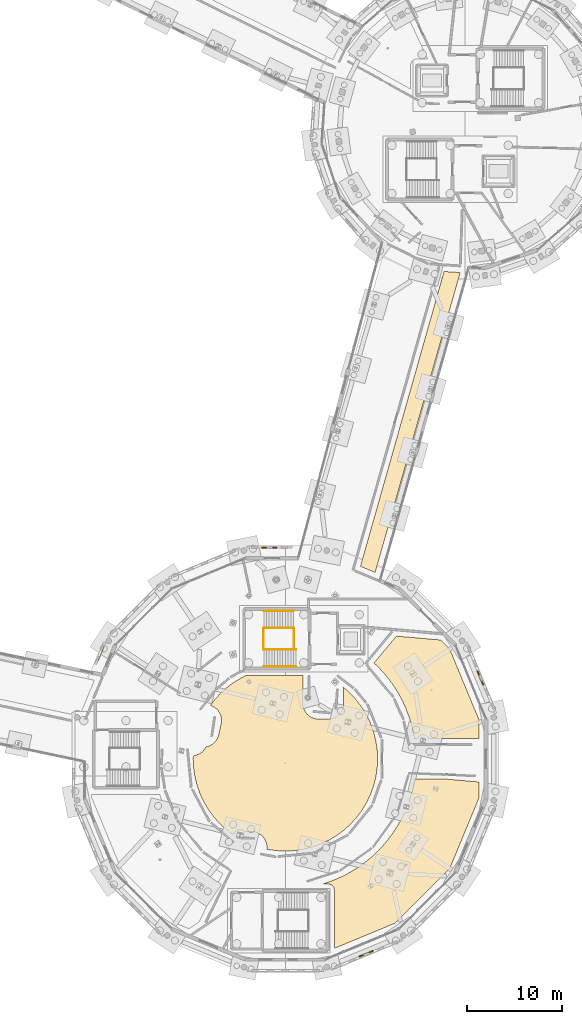
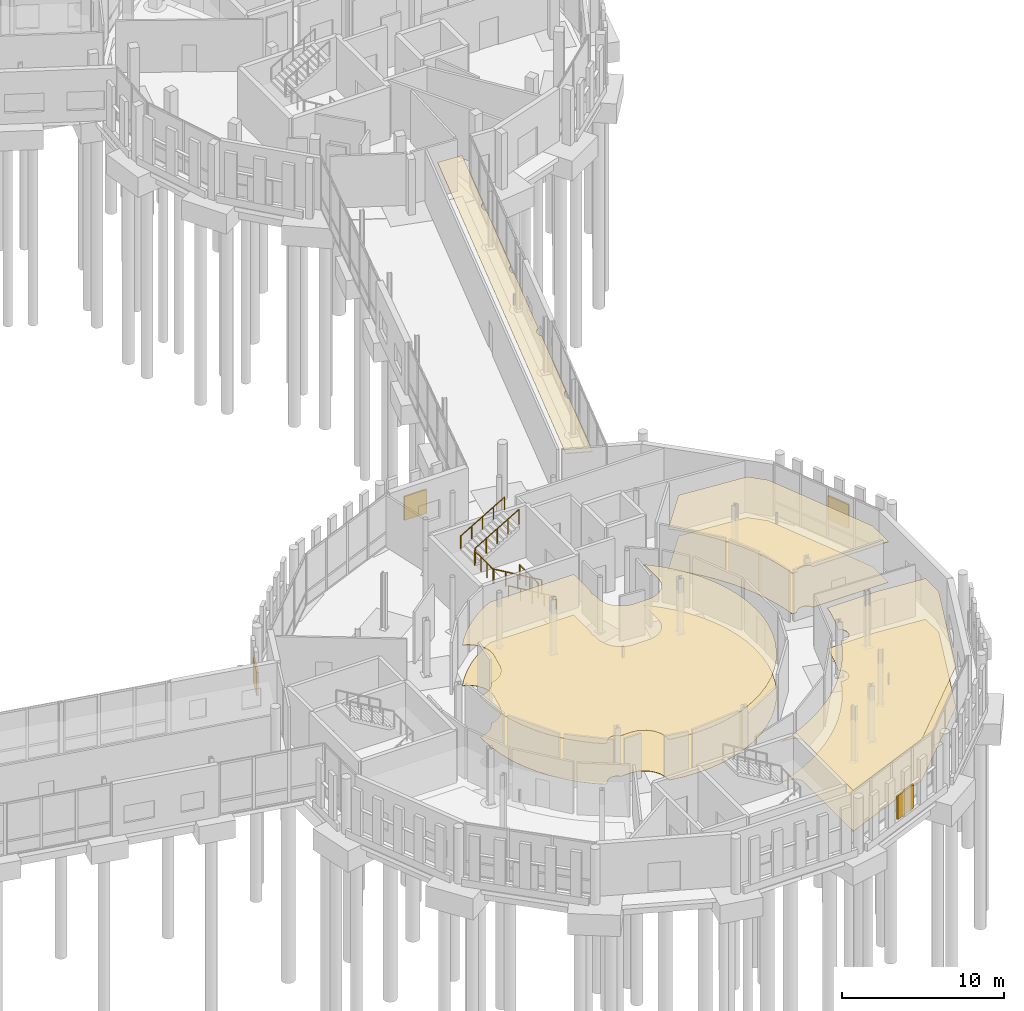
# One storey, part 111 of 113: 7 coverings, 6 railings, 4 shading devices.
"""IFC4 building model written with IfcOpenShell, lengths in metres."""

from ifc_helpers import new_model, si_unit, direction, frame, origin, origin_2d, place, context, subcontext, project, spatial, polyline, rectangle, circle, outline, extrude, material, layer, layer_set, type_object, element, save


model = new_model("IFC4")

# Units and contexts
model_context = context("Model", 3, precision=1e-05, world=origin(), true_north=direction((0.0, 1.0)))
body_context = subcontext(model_context, "Body", "Model", "MODEL_VIEW")
ifc_project = project(units=[si_unit("LENGTHUNIT", "METRE"), si_unit("AREAUNIT", "SQUARE_METRE"), si_unit("VOLUMEUNIT", "CUBIC_METRE"), si_unit("PLANEANGLEUNIT", "RADIAN"), si_unit("MASSUNIT", "GRAM", prefix="KILO")], contexts=[model_context])

# Site, building, storey
site_placement = place(None, origin())
site = spatial("IfcSite", under=ifc_project, at=site_placement, CompositionType="ELEMENT")
building_placement = place(site_placement, origin())
building = spatial("IfcBuilding", under=site, at=building_placement, Name="Wrenclough Park School", CompositionType="ELEMENT")
storey_placement = place(building_placement, origin())
storey = spatial("IfcBuildingStorey", under=building, at=storey_placement, Name="L00", CompositionType="ELEMENT", Elevation=0.0)

# Shading devices
ifc_material_1 = material(Name="Perforated Manchester multi-stock and Staffordshire blue-grey brick screen", Category="masonry")
ifc_layer_1 = layer(ifc_material_1, 0.114990234375)
ifc_layer_set_1 = layer_set([ifc_layer_1], Name="Perforated Manchester multi-stock and Staffordshire blue-grey brick screen")
shading_device_type_1 = type_object("IfcShadingDeviceType", Name="ENV-BS-01", PredefinedType="USERDEFINED", material=ifc_layer_set_1)
shading_device_1_placement = place(storey_placement, frame((135.978271484375, 37.637939453125, 0.52978515625), z_axis=(0.0, 0.0, 1.0), x_axis=(-0.382679144648, -0.92388130853, 0.0)))
element("IfcShadingDevice", 1, at=shading_device_1_placement, inside=storey, type_object=shading_device_type_1, Name="D1 L00 acoustic open-bond brick baffle 003", ObjectType="PERFORATED BRICK SCREEN", PredefinedType="USERDEFINED", context=body_context, shape_type="SweptSolid", body=[
    extrude(rectangle(XDim=1.60009765625, YDim=0.114990234375, at=origin_2d()), origin(), (0.0, 0.0, 1.0), 1.800048828125),
])
ifc_layer_2 = layer(ifc_material_1, 0.114990234375)
ifc_layer_set_2 = layer_set([ifc_layer_2], Name="Perforated Manchester multi-stock and Staffordshire blue-grey brick screen")
shading_device_type_2 = type_object("IfcShadingDeviceType", Name="ENV-BS-02", PredefinedType="USERDEFINED", material=ifc_layer_set_2)
shading_device_2_placement = place(storey_placement, frame((176.1005859375, 35.033203125, 0.52978515625), z_axis=(0.0, 0.0, 1.0), x_axis=(-0.382692183809, 0.923875907496, 0.0)))
element("IfcShadingDevice", 2, at=shading_device_2_placement, inside=storey, type_object=shading_device_type_2, Name="D1 L00 acoustic open-bond brick baffle 001", ObjectType="PERFORATED BRICK SCREEN", PredefinedType="USERDEFINED", context=body_context, shape_type="SweptSolid", body=[
    extrude(rectangle(XDim=1.60009765625, YDim=0.114990234375, at=origin_2d()), origin(), (0.0, 0.0, 1.0), 1.800048828125),
])
ifc_layer_3 = layer(ifc_material_1, 0.114990234375)
ifc_layer_set_3 = layer_set([ifc_layer_3], Name="Perforated Manchester multi-stock and Staffordshire blue-grey brick screen")
shading_device_type_3 = type_object("IfcShadingDeviceType", Name="ENV-BS-03", PredefinedType="USERDEFINED", material=ifc_layer_set_3)
for number, where, z_axis, x_axis, name in (
    (3, (153.80810546875, 48.798095703125, 0.52978515625), (0.0, 0.0, 1.0), (-1.0, 0.0, 0.0), "D1 L00 acoustic open-bond brick baffle 002"),
    (4, (164.033203125, 5.8994140625, 0.52978515625), (0.0, 0.0, 1.0), (0.923875907496, 0.382692183809, 0.0), "D1 L00 acoustic open-bond brick baffle 005"),
):
    element("IfcShadingDevice", number, at=place(storey_placement, frame(where, z_axis=z_axis, x_axis=x_axis)), inside=storey, type_object=shading_device_type_3, Name=name, ObjectType="PERFORATED BRICK SCREEN", PredefinedType="USERDEFINED", context=body_context, shape_type="SweptSolid", body=[
        extrude(rectangle(XDim=1.60009765625, YDim=0.114990234375, at=origin_2d()), origin(), (0.0, 0.0, 1.0), 1.800048828125),
    ])

# Coverings
ifc_material_2 = material(Name="Class A mineral-fibre acoustic ceiling raft", Category="gypsum")
ifc_layer_4 = layer(ifc_material_2, 0.044921875)
ifc_layer_set_4 = layer_set([ifc_layer_4], Name="Class A mineral-fibre acoustic ceiling raft")
covering_type_1 = type_object("IfcCoveringType", Name="INT-COV-CEIL", PredefinedType="CEILING", material=ifc_layer_set_4)
covering_1_placement = place(storey_placement, frame((0.0, 0.0, 3.054931640625)))
element("IfcCovering", 5, at=covering_1_placement, inside=storey, type_object=covering_type_1, Name="PE Changing Village South acoustic ceiling raft", PredefinedType="CEILING", context=body_context, shape_type="SweptSolid", body=[
    extrude(outline(polyline([(159.947509765625, 13.4375), (159.3994140625, 13.27001953125), (160.083740234375, 13.266845703125), (160.146728515625, 13.257568359375), (160.268798828125, 13.220458984375), (160.381103515625, 13.160400390625), (160.432373046875, 13.12255859375), (160.5224609375, 13.032470703125), (160.560546875, 12.981201171875), (160.62060546875, 12.86865234375), (160.657470703125, 12.746826171875), (160.6669921875, 12.68359375), (160.669921875, 6.4716796875), (167.102294921875, 9.135986328125), (172.864013671875, 14.897705078125), (175.982177734375, 22.42578125), (175.982177734375, 24.0556640625), (172.61669921875, 24.35009765625), (169.117919921875, 24.35009765625), (169.03515625, 23.8154296875), (168.841552734375, 22.97705078125), (168.53857421875, 21.986328125), (168.622802734375, 21.940185546875), (168.714599609375, 21.86474609375), (168.7900390625, 21.772705078125), (168.84619140625, 21.66796875), (168.880615234375, 21.55419921875), (168.892333984375, 21.43603515625), (168.880615234375, 21.317626953125), (168.84619140625, 21.2041015625), (168.7900390625, 21.09912109375), (168.714599609375, 21.00732421875), (168.622802734375, 20.931884765625), (168.51806640625, 20.8759765625), (168.404296875, 20.84130859375), (168.285888671875, 20.82958984375), (168.167724609375, 20.84130859375), (168.0888671875, 20.86328125), (167.879150390625, 20.40380859375), (167.4775390625, 19.6484375), (167.00390625, 18.8798828125), (166.477783203125, 18.1396484375), (165.866943359375, 17.393310546875), (165.251953125, 16.7373046875), (164.607666015625, 16.134033203125), (163.91015625, 15.560302734375), (163.17138671875, 15.0302734375), (162.393798828125, 14.546875), (161.591796875, 14.11865234375), (160.773681640625, 13.748779296875), (159.947509765625, 13.4375)])), origin(), (0.0, 0.0, 1.0), 0.045166015625),
])
covering_2_placement = place(storey_placement, frame((0.0, 0.0, 3.054931640625)))
element("IfcCovering", 6, at=covering_2_placement, inside=storey, type_object=covering_type_1, Name="Dance Studio acoustic ceiling raft", PredefinedType="CEILING", context=body_context, shape_type="SweptSolid", body=[
    extrude(outline(polyline([(175.94580078125, 28.642578125), (175.982177734375, 28.63720703125), (175.982177734375, 30.57421875), (172.864013671875, 38.102294921875), (171.904296875, 39.06201171875), (167.230712890625, 39.46875), (164.848876953125, 36.63037109375), (165.2529296875, 36.261474609375), (165.8818359375, 35.589599609375), (166.451904296875, 34.894287109375), (166.967041015625, 34.17529296875), (167.476806640625, 33.352783203125), (167.872314453125, 32.60986328125), (168.227294921875, 31.831298828125), (168.568359375, 30.9296875), (168.82666015625, 30.078857421875), (169.022705078125, 29.24609375), (169.116455078125, 28.649658203125), (169.4658203125, 28.6494140625), (169.493408203125, 28.708740234375), (169.559326171875, 28.8076171875), (169.599365234375, 28.851806640625), (169.691162109375, 28.927001953125), (169.7421875, 28.957763671875), (169.85205078125, 29.003173828125), (169.968505859375, 29.0263671875), (170.028076171875, 29.029296875), (170.08740234375, 29.0263671875), (170.2041015625, 29.003173828125), (170.313720703125, 28.957763671875), (170.36474609375, 28.927001953125), (170.456787109375, 28.851806640625), (170.49658203125, 28.8076171875), (170.562744140625, 28.708740234375), (170.59033203125, 28.648681640625), (175.94580078125, 28.642578125)])), origin(), (0.0, 0.0, 1.0), 0.045166015625),
])
covering_3_placement = place(storey_placement, frame((0.0, 0.0, 3.054931640625)))
element("IfcCovering", 7, at=covering_3_placement, inside=storey, type_object=covering_type_1, Name="Fitness Conditioning Studio acoustic ceiling raft", PredefinedType="CEILING", context=body_context, shape_type="SweptSolid", body=[
    extrude(outline(polyline([(145.815185546875, 26.826904296875), (145.7666015625, 26.82275390625), (145.750732421875, 26.5), (145.797607421875, 25.54443359375), (145.93798828125, 24.597900390625), (146.170654296875, 23.669921875), (146.492919921875, 22.769287109375), (146.90185546875, 21.904296875), (147.393798828125, 21.083740234375), (147.9638671875, 20.315185546875), (148.606201171875, 19.606201171875), (149.315185546875, 18.9638671875), (149.924560546875, 18.51171875), (150.010498046875, 18.56640625), (150.130126953125, 18.618408203125), (150.161376953125, 18.687744140625), (150.227294921875, 18.78662109375), (150.267333984375, 18.830810546875), (150.359130859375, 18.906005859375), (150.41015625, 18.936767578125), (150.52001953125, 18.982177734375), (150.63671875, 19.00537109375), (150.75537109375, 19.00537109375), (150.8720703125, 18.982177734375), (150.927978515625, 18.962158203125), (151.03271484375, 18.906005859375), (151.08056640625, 18.87060546875), (151.162841796875, 18.78857421875), (151.9541015625, 18.798583984375), (152.302490234375, 18.747802734375), (152.357666015625, 18.73681640625), (152.464599609375, 18.70068359375), (152.854248046875, 18.491455078125), (152.959716796875, 18.419921875), (153.142822265625, 18.23828125), (153.193603515625, 18.18017578125), (153.2373046875, 18.116455078125), (153.4091796875, 17.823486328125), (153.4521484375, 17.70361328125), (153.540771484375, 17.330810546875), (153.54736328125, 16.95068359375), (153.59814453125, 16.93798828125), (154.54443359375, 16.797607421875), (155.5, 16.750732421875), (156.45556640625, 16.797607421875), (157.402099609375, 16.93798828125), (158.330078125, 17.170654296875), (159.230712890625, 17.492919921875), (160.095703125, 17.90185546875), (160.916259765625, 18.393798828125), (161.684814453125, 18.9638671875), (162.393798828125, 19.606201171875), (163.0361328125, 20.315185546875), (163.606201171875, 21.083740234375), (164.09814453125, 21.904296875), (164.507080078125, 22.769287109375), (164.829345703125, 23.669921875), (165.06201171875, 24.597900390625), (165.202392578125, 25.54443359375), (165.249267578125, 26.5), (165.202392578125, 27.45556640625), (165.06201171875, 28.402099609375), (164.829345703125, 29.330078125), (164.507080078125, 30.230712890625), (164.09814453125, 31.095703125), (163.606201171875, 31.916259765625), (163.0361328125, 32.684814453125), (162.393798828125, 33.393798828125), (161.684814453125, 34.0361328125), (161.597412109375, 34.10107421875), (161.6337890625, 33.966796875), (161.645751953125, 33.84326171875), (161.642578125, 32.1865234375), (161.592529296875, 31.918701171875), (161.580078125, 31.8671875), (161.542724609375, 31.767578125), (161.387451171875, 31.450439453125), (161.342529296875, 31.387451171875), (161.176513671875, 31.1875), (160.912841796875, 30.97119140625), (160.68408203125, 30.84716796875), (160.613525390625, 30.8154296875), (160.539794921875, 30.7919921875), (160.194091796875, 30.710693359375), (160.114990234375, 30.705810546875), (158.8369140625, 30.707275390625), (158.56884765625, 30.75732421875), (158.515380859375, 30.770263671875), (158.4130859375, 30.8095703125), (158.151611328125, 30.935791015625), (158.04541015625, 31.0), (157.79296875, 31.224609375), (157.739013671875, 31.280029296875), (157.582763671875, 31.501708984375), (157.521728515625, 31.61376953125), (157.368896484375, 32.104736328125), (157.355712890625, 32.232421875), (157.353271484375, 32.700927734375), (157.31201171875, 32.801025390625), (157.298095703125, 32.8564453125), (157.287109375, 32.969970703125), (157.298095703125, 33.08349609375), (157.31201171875, 33.138916015625), (157.354248046875, 33.240966796875), (157.350830078125, 35.330078125), (151.394775390625, 35.330078125), (150.904296875, 35.09814453125), (150.083740234375, 34.606201171875), (149.315185546875, 34.0361328125), (148.606201171875, 33.393798828125), (147.9638671875, 32.684814453125), (147.564208984375, 32.146240234375), (147.81640625, 32.05078125), (147.9306640625, 31.994140625), (148.224609375, 31.771240234375), (148.28076171875, 31.72265625), (148.3310546875, 31.667724609375), (148.374755859375, 31.607421875), (148.611083984375, 31.231201171875), (148.6396484375, 31.164306640625), (148.66064453125, 31.094482421875), (148.72802734375, 30.81201171875), (148.744384765625, 30.70361328125), (148.74560546875, 30.64892578125), (148.74169921875, 30.440185546875), (148.727294921875, 30.315673828125), (148.449951171875, 29.028076171875), (148.420654296875, 28.929931640625), (148.28564453125, 28.5927734375), (148.248291015625, 28.5302734375), (148.2041015625, 28.472412109375), (147.962890625, 28.189453125), (147.912841796875, 28.13671875), (147.85693359375, 28.090087890625), (147.4873046875, 27.873291015625), (147.363525390625, 27.831298828125), (147.095947265625, 27.76953125), (147.022216796875, 27.610595703125), (146.989013671875, 27.557861328125), (146.762451171875, 27.28759765625), (146.6845703125, 27.21044921875), (146.64111328125, 27.177001953125), (146.470458984375, 27.05712890625), (146.3564453125, 26.993408203125), (145.927490234375, 26.852294921875), (145.815185546875, 26.826904296875)])), origin(), (0.0, 0.0, 1.0), 0.045166015625),
])
covering_4_placement = place(storey_placement, frame((0.0, 0.0, 3.054931640625)))
element("IfcCovering", 8, at=covering_4_placement, inside=storey, type_object=covering_type_1, Name="Park View Seminar Classroom L00 acoustic ceiling raft", PredefinedType="CEILING", context=body_context, shape_type="SweptSolid", body=[
    extrude(outline(polyline([(163.4306640625, 46.845947265625), (164.985107421875, 46.2021484375), (166.5927734375, 51.87158203125), (166.538330078125, 51.9716796875), (166.507080078125, 52.07421875), (166.49658203125, 52.180908203125), (166.507080078125, 52.287841796875), (166.520263671875, 52.33984375), (166.561279296875, 52.43896484375), (166.620849609375, 52.5283203125), (166.69677734375, 52.60400390625), (166.739990234375, 52.635986328125), (166.822265625, 52.680908203125), (168.4931640625, 58.57275390625), (168.439453125, 58.671630859375), (168.408203125, 58.774169921875), (168.397705078125, 58.881103515625), (168.408203125, 58.98779296875), (168.42138671875, 59.039794921875), (168.46240234375, 59.138916015625), (168.52197265625, 59.228271484375), (168.597900390625, 59.30419921875), (168.640869140625, 59.336181640625), (168.72216796875, 59.38037109375), (170.39306640625, 65.272705078125), (170.33935546875, 65.37158203125), (170.30810546875, 65.47412109375), (170.297607421875, 65.5810546875), (170.30810546875, 65.687744140625), (170.3212890625, 65.739990234375), (170.3623046875, 65.839111328125), (170.421875, 65.92822265625), (170.497802734375, 66.004150390625), (170.541015625, 66.0361328125), (170.622314453125, 66.080322265625), (172.29296875, 71.9716796875), (172.23828125, 72.071533203125), (172.207275390625, 72.17431640625), (172.19677734375, 72.281005859375), (172.207275390625, 72.3876953125), (172.22021484375, 72.43994140625), (172.26123046875, 72.5390625), (172.32080078125, 72.628173828125), (172.396728515625, 72.7041015625), (172.43994140625, 72.736083984375), (172.522216796875, 72.781005859375), (173.97314453125, 77.89697265625), (172.265380859375, 78.0087890625), (163.4306640625, 46.845947265625)])), origin(), (0.0, 0.0, 1.0), 0.045166015625),
])
ifc_material_3 = material(Name="Acoustic natural linoleum school flooring", Category="wood")
ifc_layer_5 = layer(ifc_material_3, 0.014892578125)
ifc_layer_set_5 = layer_set([ifc_layer_5], Name="Acoustic natural linoleum school flooring")
covering_type_2 = type_object("IfcCoveringType", Name="INT-COV-FLOOR1", PredefinedType="FLOORING", material=ifc_layer_set_5)
covering_5_placement = place(storey_placement, origin())
element("IfcCovering", 9, at=covering_5_placement, inside=storey, type_object=covering_type_2, Name="PE Changing Village South floor finish", PredefinedType="FLOORING", context=body_context, shape_type="SweptSolid", body=[
    extrude(outline(polyline([(159.947509765625, 13.4375), (159.3994140625, 13.27001953125), (160.083740234375, 13.266845703125), (160.146728515625, 13.257568359375), (160.268798828125, 13.220458984375), (160.381103515625, 13.160400390625), (160.432373046875, 13.12255859375), (160.5224609375, 13.032470703125), (160.560546875, 12.981201171875), (160.62060546875, 12.86865234375), (160.657470703125, 12.746826171875), (160.6669921875, 12.68359375), (160.669921875, 6.4716796875), (167.102294921875, 9.135986328125), (172.864013671875, 14.897705078125), (175.982177734375, 22.42578125), (175.982177734375, 24.0556640625), (172.61669921875, 24.35009765625), (169.117919921875, 24.35009765625), (169.03515625, 23.8154296875), (168.841552734375, 22.97705078125), (168.53857421875, 21.986328125), (168.622802734375, 21.940185546875), (168.714599609375, 21.86474609375), (168.7900390625, 21.772705078125), (168.84619140625, 21.66796875), (168.880615234375, 21.55419921875), (168.892333984375, 21.43603515625), (168.880615234375, 21.317626953125), (168.84619140625, 21.2041015625), (168.7900390625, 21.09912109375), (168.714599609375, 21.00732421875), (168.622802734375, 20.931884765625), (168.51806640625, 20.8759765625), (168.404296875, 20.84130859375), (168.285888671875, 20.82958984375), (168.167724609375, 20.84130859375), (168.0888671875, 20.86328125), (167.879150390625, 20.40380859375), (167.4775390625, 19.6484375), (167.00390625, 18.8798828125), (166.477783203125, 18.1396484375), (165.866943359375, 17.393310546875), (165.251953125, 16.7373046875), (164.607666015625, 16.134033203125), (163.91015625, 15.560302734375), (163.17138671875, 15.0302734375), (162.393798828125, 14.546875), (161.591796875, 14.11865234375), (160.773681640625, 13.748779296875), (159.947509765625, 13.4375)])), origin(), (0.0, 0.0, 1.0), 0.014892578125),
])
ifc_material_4 = material(Name="Sprung polymeric sports hall flooring", Category="wood")
ifc_layer_6 = layer(ifc_material_4, 0.02197265625)
ifc_layer_set_6 = layer_set([ifc_layer_6], Name="Sprung polymeric sports hall flooring")
covering_type_3 = type_object("IfcCoveringType", Name="INT-COV-FLOOR2", PredefinedType="FLOORING", material=ifc_layer_set_6)
covering_6_placement = place(storey_placement, origin())
element("IfcCovering", 10, at=covering_6_placement, inside=storey, type_object=covering_type_3, Name="Dance Studio floor finish", PredefinedType="FLOORING", context=body_context, shape_type="SweptSolid", body=[
    extrude(outline(polyline([(175.94580078125, 28.642578125), (175.982177734375, 28.63720703125), (175.982177734375, 30.57421875), (172.864013671875, 38.102294921875), (171.904296875, 39.06201171875), (167.230712890625, 39.46875), (164.848876953125, 36.63037109375), (165.2529296875, 36.261474609375), (165.8818359375, 35.589599609375), (166.451904296875, 34.894287109375), (166.967041015625, 34.17529296875), (167.476806640625, 33.352783203125), (167.872314453125, 32.60986328125), (168.227294921875, 31.831298828125), (168.568359375, 30.9296875), (168.82666015625, 30.078857421875), (169.022705078125, 29.24609375), (169.116455078125, 28.649658203125), (169.4658203125, 28.6494140625), (169.493408203125, 28.708740234375), (169.559326171875, 28.8076171875), (169.599365234375, 28.851806640625), (169.691162109375, 28.927001953125), (169.7421875, 28.957763671875), (169.85205078125, 29.003173828125), (169.968505859375, 29.0263671875), (170.028076171875, 29.029296875), (170.08740234375, 29.0263671875), (170.2041015625, 29.003173828125), (170.313720703125, 28.957763671875), (170.36474609375, 28.927001953125), (170.456787109375, 28.851806640625), (170.49658203125, 28.8076171875), (170.562744140625, 28.708740234375), (170.59033203125, 28.648681640625), (175.94580078125, 28.642578125)])), origin(), (0.0, 0.0, 1.0), 0.02197265625),
])
covering_7_placement = place(storey_placement, origin())
element("IfcCovering", 11, at=covering_7_placement, inside=storey, type_object=covering_type_3, Name="Fitness Conditioning Studio floor finish", PredefinedType="FLOORING", context=body_context, shape_type="SweptSolid", body=[
    extrude(outline(polyline([(145.815185546875, 26.826904296875), (145.7666015625, 26.82275390625), (145.750732421875, 26.5), (145.797607421875, 25.54443359375), (145.93798828125, 24.597900390625), (146.170654296875, 23.669921875), (146.492919921875, 22.769287109375), (146.90185546875, 21.904296875), (147.393798828125, 21.083740234375), (147.9638671875, 20.315185546875), (148.606201171875, 19.606201171875), (149.315185546875, 18.9638671875), (149.924560546875, 18.51171875), (150.010498046875, 18.56640625), (150.130126953125, 18.618408203125), (150.161376953125, 18.687744140625), (150.227294921875, 18.78662109375), (150.267333984375, 18.830810546875), (150.359130859375, 18.906005859375), (150.41015625, 18.936767578125), (150.52001953125, 18.982177734375), (150.63671875, 19.00537109375), (150.75537109375, 19.00537109375), (150.8720703125, 18.982177734375), (150.927978515625, 18.962158203125), (151.03271484375, 18.906005859375), (151.08056640625, 18.87060546875), (151.162841796875, 18.78857421875), (151.9541015625, 18.798583984375), (152.302490234375, 18.747802734375), (152.357666015625, 18.73681640625), (152.464599609375, 18.70068359375), (152.854248046875, 18.491455078125), (152.959716796875, 18.419921875), (153.142822265625, 18.23828125), (153.193603515625, 18.18017578125), (153.2373046875, 18.116455078125), (153.4091796875, 17.823486328125), (153.4521484375, 17.70361328125), (153.540771484375, 17.330810546875), (153.54736328125, 16.95068359375), (153.59814453125, 16.93798828125), (154.54443359375, 16.797607421875), (155.5, 16.750732421875), (156.45556640625, 16.797607421875), (157.402099609375, 16.93798828125), (158.330078125, 17.170654296875), (159.230712890625, 17.492919921875), (160.095703125, 17.90185546875), (160.916259765625, 18.393798828125), (161.684814453125, 18.9638671875), (162.393798828125, 19.606201171875), (163.0361328125, 20.315185546875), (163.606201171875, 21.083740234375), (164.09814453125, 21.904296875), (164.507080078125, 22.769287109375), (164.829345703125, 23.669921875), (165.06201171875, 24.597900390625), (165.202392578125, 25.54443359375), (165.249267578125, 26.5), (165.202392578125, 27.45556640625), (165.06201171875, 28.402099609375), (164.829345703125, 29.330078125), (164.507080078125, 30.230712890625), (164.09814453125, 31.095703125), (163.606201171875, 31.916259765625), (163.0361328125, 32.684814453125), (162.393798828125, 33.393798828125), (161.684814453125, 34.0361328125), (161.597412109375, 34.10107421875), (161.6337890625, 33.966796875), (161.645751953125, 33.84326171875), (161.642578125, 32.1865234375), (161.592529296875, 31.918701171875), (161.580078125, 31.8671875), (161.542724609375, 31.767578125), (161.387451171875, 31.450439453125), (161.342529296875, 31.387451171875), (161.176513671875, 31.1875), (160.912841796875, 30.97119140625), (160.68408203125, 30.84716796875), (160.613525390625, 30.8154296875), (160.539794921875, 30.7919921875), (160.194091796875, 30.710693359375), (160.114990234375, 30.705810546875), (158.8369140625, 30.707275390625), (158.56884765625, 30.75732421875), (158.515380859375, 30.770263671875), (158.4130859375, 30.8095703125), (158.151611328125, 30.935791015625), (158.04541015625, 31.0), (157.79296875, 31.224609375), (157.739013671875, 31.280029296875), (157.582763671875, 31.501708984375), (157.521728515625, 31.61376953125), (157.368896484375, 32.104736328125), (157.355712890625, 32.232421875), (157.353271484375, 32.700927734375), (157.31201171875, 32.801025390625), (157.298095703125, 32.8564453125), (157.287109375, 32.969970703125), (157.298095703125, 33.08349609375), (157.31201171875, 33.138916015625), (157.354248046875, 33.240966796875), (157.350830078125, 35.330078125), (151.394775390625, 35.330078125), (150.904296875, 35.09814453125), (150.083740234375, 34.606201171875), (149.315185546875, 34.0361328125), (148.606201171875, 33.393798828125), (147.9638671875, 32.684814453125), (147.564208984375, 32.146240234375), (147.81640625, 32.05078125), (147.9306640625, 31.994140625), (148.224609375, 31.771240234375), (148.28076171875, 31.72265625), (148.3310546875, 31.667724609375), (148.374755859375, 31.607421875), (148.611083984375, 31.231201171875), (148.6396484375, 31.164306640625), (148.66064453125, 31.094482421875), (148.72802734375, 30.81201171875), (148.744384765625, 30.70361328125), (148.74560546875, 30.64892578125), (148.74169921875, 30.440185546875), (148.727294921875, 30.315673828125), (148.449951171875, 29.028076171875), (148.420654296875, 28.929931640625), (148.28564453125, 28.5927734375), (148.248291015625, 28.5302734375), (148.2041015625, 28.472412109375), (147.962890625, 28.189453125), (147.912841796875, 28.13671875), (147.85693359375, 28.090087890625), (147.4873046875, 27.873291015625), (147.363525390625, 27.831298828125), (147.095947265625, 27.76953125), (147.022216796875, 27.610595703125), (146.989013671875, 27.557861328125), (146.762451171875, 27.28759765625), (146.6845703125, 27.21044921875), (146.64111328125, 27.177001953125), (146.470458984375, 27.05712890625), (146.3564453125, 26.993408203125), (145.927490234375, 26.852294921875), (145.815185546875, 26.826904296875)])), origin(), (0.0, 0.0, 1.0), 0.02197265625),
])

# Railings
ifc_material_5 = material(Name="Powder-coated steel vertical-baluster stair and atrium guard", Category="steel")
railing_type_1 = type_object("IfcRailingType", Name="INT-RL-GD1120", PredefinedType="GUARDRAIL", material=ifc_material_5)
railing_1_placement = place(storey_placement, frame((156.39501953125, 38.050048828125, 0.0)))
element("IfcRailing", 12, at=railing_1_placement, inside=storey, type_object=railing_type_1, Name="ST-01 L00 well guard 1", PredefinedType="GUARDRAIL", context=body_context, shape_type="SweptSolid", body=[
    extrude(circle(Radius=0.02392578125, at=origin_2d()), frame((0.0, 0.0, 1.09619140625), z_axis=(0.0, 1.0, 0.0), x_axis=(-1.0, 0.0, 0.0)), (0.0, 0.0, 1.0), 2.300048828125),
    extrude(circle(Radius=0.02099609375, at=origin_2d()), origin(), (0.0, 0.0, 1.0), 1.072021484375),
    extrude(circle(Radius=0.02099609375, at=origin_2d()), frame((0.0, 0.7666015625, 0.0)), (0.0, 0.0, 1.0), 1.072021484375),
    extrude(circle(Radius=0.02099609375, at=origin_2d()), frame((0.0, 1.533447265625, 0.0)), (0.0, 0.0, 1.0), 1.072021484375),
    extrude(circle(Radius=0.02099609375, at=origin_2d()), frame((0.0, 2.300048828125, 0.0)), (0.0, 0.0, 1.0), 1.072021484375),
])
railing_2_placement = place(storey_placement, frame((156.639892578125, 38.050048828125, 0.16796875)))
element("IfcRailing", 13, at=railing_2_placement, inside=storey, type_object=railing_type_1, Name="ST-01 L00 well guard 2", PredefinedType="GUARDRAIL", context=body_context, shape_type="SweptSolid", body=[
    extrude(circle(Radius=0.02392578125, at=origin_2d()), frame((0.0, 0.0, 1.09619140625), z_axis=(-0.861450067461, 0.0, 0.507842279918), x_axis=(0.0, -1.0, 0.0)), (0.0, 0.0, 1.0), 3.969970703125),
    extrude(circle(Radius=0.02099609375, at=origin_2d()), origin(), (0.0, 0.0, 1.0), 1.072021484375),
    extrude(circle(Radius=0.02099609375, at=origin_2d()), frame((-0.85498046875, 0.0, 0.50390625)), (0.0, 0.0, 1.0), 1.072021484375),
    extrude(circle(Radius=0.02099609375, at=origin_2d()), frame((-1.7099609375, 0.0, 1.008056640625)), (0.0, 0.0, 1.0), 1.072021484375),
    extrude(circle(Radius=0.02099609375, at=origin_2d()), frame((-2.56494140625, 0.0, 1.51220703125)), (0.0, 0.0, 1.0), 1.072021484375),
    extrude(circle(Radius=0.02099609375, at=origin_2d()), frame((-3.419921875, 0.0, 2.01611328125)), (0.0, 0.0, 1.0), 1.072021484375),
])
railing_3_placement = place(storey_placement, frame((153.179931640625, 38.050048828125, 2.18408203125)))
element("IfcRailing", 14, at=railing_3_placement, inside=storey, type_object=railing_type_1, Name="ST-01 L00 well guard 3", PredefinedType="GUARDRAIL", context=body_context, shape_type="SweptSolid", body=[
    extrude(circle(Radius=0.02392578125, at=origin_2d()), frame((0.0, 0.0, 1.09619140625), z_axis=(0.0, 1.0, 0.0), x_axis=(-1.0, 0.0, 0.0)), (0.0, 0.0, 1.0), 2.300048828125),
    extrude(circle(Radius=0.02099609375, at=origin_2d()), origin(), (0.0, 0.0, 1.0), 1.072021484375),
    extrude(circle(Radius=0.02099609375, at=origin_2d()), frame((0.0, 0.7666015625, 0.0)), (0.0, 0.0, 1.0), 1.072021484375),
    extrude(circle(Radius=0.02099609375, at=origin_2d()), frame((0.0, 1.533447265625, 0.0)), (0.0, 0.0, 1.0), 1.072021484375),
    extrude(circle(Radius=0.02099609375, at=origin_2d()), frame((0.0, 2.300048828125, 0.0)), (0.0, 0.0, 1.0), 1.072021484375),
])
railing_4_placement = place(storey_placement, frame((153.219970703125, 40.35009765625, 2.35205078125)))
element("IfcRailing", 15, at=railing_4_placement, inside=storey, type_object=railing_type_1, Name="ST-01 L00 well guard 4", PredefinedType="GUARDRAIL", context=body_context, shape_type="SweptSolid", body=[
    extrude(circle(Radius=0.02392578125, at=origin_2d()), frame((0.0, 0.0, 1.09619140625), z_axis=(0.861480291558, 0.0, 0.50779100746), x_axis=(0.0, 1.0, 0.0)), (0.0, 0.0, 1.0), 3.63916015625),
    extrude(circle(Radius=0.02099609375, at=origin_2d()), origin(), (0.0, 0.0, 1.0), 1.072021484375),
    extrude(circle(Radius=0.02099609375, at=origin_2d()), frame((0.78369140625, 0.0, 0.4619140625)), (0.0, 0.0, 1.0), 1.072021484375),
    extrude(circle(Radius=0.02099609375, at=origin_2d()), frame((1.5673828125, 0.0, 0.923828125)), (0.0, 0.0, 1.0), 1.072021484375),
    extrude(circle(Radius=0.02099609375, at=origin_2d()), frame((2.351318359375, 0.0, 1.385986328125)), (0.0, 0.0, 1.0), 1.072021484375),
    extrude(circle(Radius=0.02099609375, at=origin_2d()), frame((3.135009765625, 0.0, 1.847900390625)), (0.0, 0.0, 1.0), 1.072021484375),
])
ifc_material_6 = material(Name="Brushed stainless steel tubular handrail", Category="steel")
railing_type_2 = type_object("IfcRailingType", Name="INT-RL-HR950", PredefinedType="HANDRAIL", material=ifc_material_6)
railing_5_placement = place(storey_placement, frame((156.639892578125, 36.25, 0.16796875)))
element("IfcRailing", 16, at=railing_5_placement, inside=storey, type_object=railing_type_2, Name="ST-01 L00 pitch handrail 1", PredefinedType="HANDRAIL", context=body_context, shape_type="SweptSolid", body=[
    extrude(circle(Radius=0.02392578125, at=origin_2d()), frame((0.0, 0.0, 0.92578125), z_axis=(-0.861450067461, 0.0, 0.507842279918), x_axis=(0.0, -1.0, 0.0)), (0.0, 0.0, 1.0), 3.969970703125),
    extrude(circle(Radius=0.02099609375, at=origin_2d()), origin(), (0.0, 0.0, 1.0), 0.90185546875),
    extrude(circle(Radius=0.02099609375, at=origin_2d()), frame((-0.85498046875, 0.0, 0.50390625)), (0.0, 0.0, 1.0), 0.90185546875),
    extrude(circle(Radius=0.02099609375, at=origin_2d()), frame((-1.7099609375, 0.0, 1.008056640625)), (0.0, 0.0, 1.0), 0.90185546875),
    extrude(circle(Radius=0.02099609375, at=origin_2d()), frame((-2.56494140625, 0.0, 1.51220703125)), (0.0, 0.0, 1.0), 0.90185546875),
    extrude(circle(Radius=0.02099609375, at=origin_2d()), frame((-3.419921875, 0.0, 2.01611328125)), (0.0, 0.0, 1.0), 0.90185546875),
])
railing_6_placement = place(storey_placement, frame((153.219970703125, 42.14990234375, 2.35205078125)))
element("IfcRailing", 17, at=railing_6_placement, inside=storey, type_object=railing_type_2, Name="ST-01 L00 pitch handrail 2", PredefinedType="HANDRAIL", context=body_context, shape_type="SweptSolid", body=[
    extrude(circle(Radius=0.02392578125, at=origin_2d()), frame((0.0, 0.0, 0.92578125), z_axis=(0.861480291558, 0.0, 0.50779100746), x_axis=(0.0, 1.0, 0.0)), (0.0, 0.0, 1.0), 3.63916015625),
    extrude(circle(Radius=0.02099609375, at=origin_2d()), origin(), (0.0, 0.0, 1.0), 0.90185546875),
    extrude(circle(Radius=0.02099609375, at=origin_2d()), frame((0.78369140625, 0.0, 0.4619140625)), (0.0, 0.0, 1.0), 0.90185546875),
    extrude(circle(Radius=0.02099609375, at=origin_2d()), frame((1.5673828125, 0.0, 0.923828125)), (0.0, 0.0, 1.0), 0.90185546875),
    extrude(circle(Radius=0.02099609375, at=origin_2d()), frame((2.351318359375, 0.0, 1.385986328125)), (0.0, 0.0, 1.0), 0.90185546875),
    extrude(circle(Radius=0.02099609375, at=origin_2d()), frame((3.135009765625, 0.0, 1.847900390625)), (0.0, 0.0, 1.0), 0.90185546875),
])

save(model, "model.ifc")
